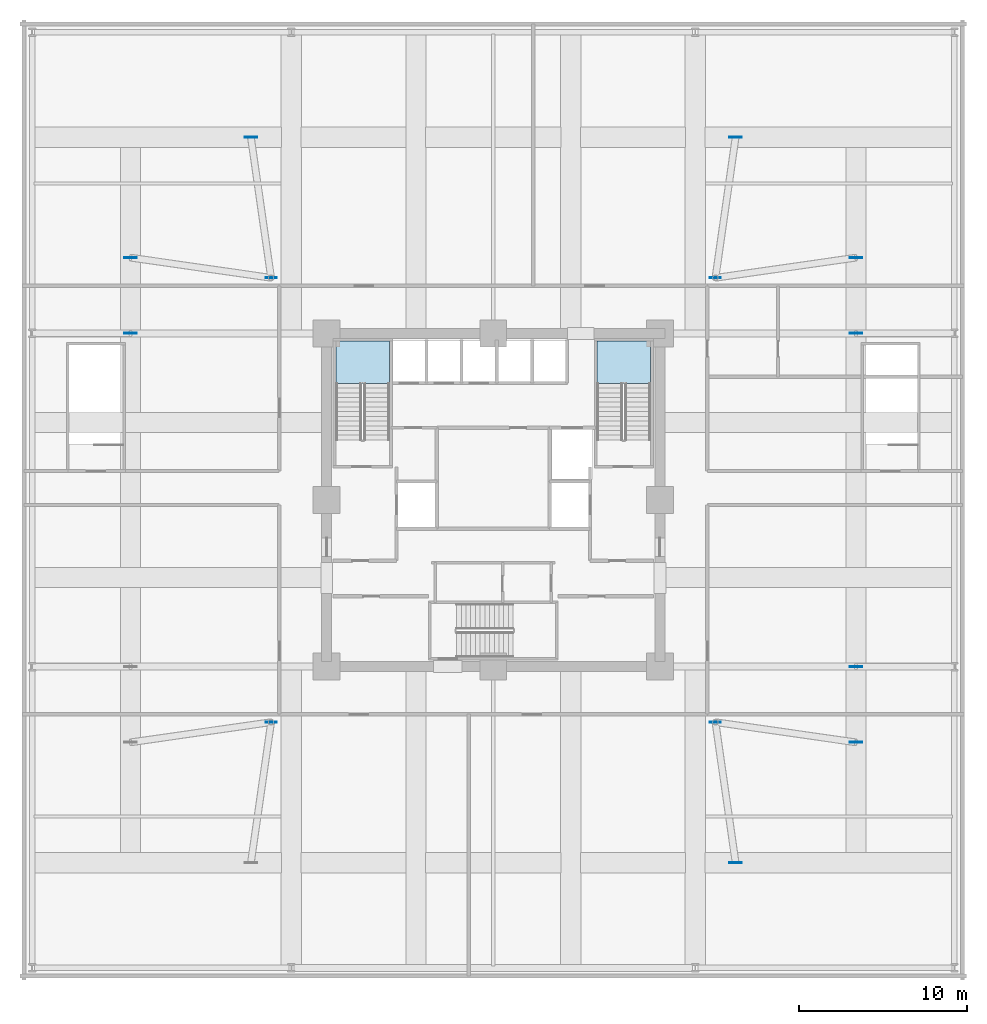
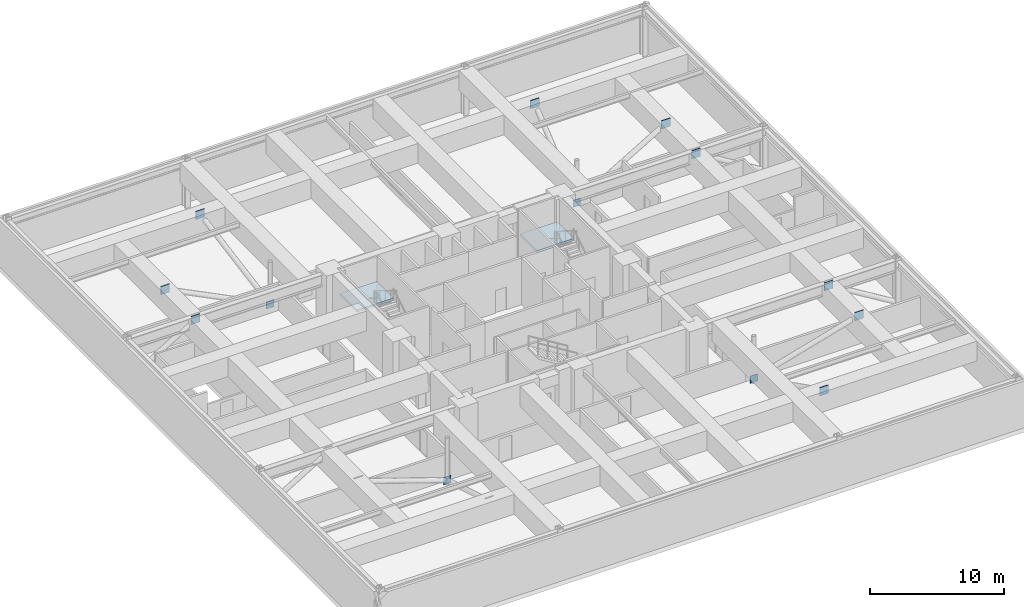
# One storey, part 11 of 16: 13 plates, 2 slabs, 2 elements without a shape of their own.
"""IFC4 building model written with IfcOpenShell, lengths in metres."""

from ifc_helpers import new_model, si_unit, direction, frame, origin, origin_2d, place, context, subcontext, project, spatial, polyline, rectangle, outline, extrude, material, layer, layer_set, type_object, element, aggregate, save


model = new_model("IFC4")

# Units and contexts
model_context = context("Model", 3, precision=1e-05, world=origin(), true_north=direction((0.0, 1.0)))
body_context = subcontext(model_context, "Body", "Model", "MODEL_VIEW")
ifc_project = project(units=[si_unit("LENGTHUNIT", "METRE"), si_unit("AREAUNIT", "SQUARE_METRE"), si_unit("VOLUMEUNIT", "CUBIC_METRE"), si_unit("PLANEANGLEUNIT", "RADIAN"), si_unit("MASSUNIT", "GRAM", prefix="KILO")], contexts=[model_context])

# Site, building, storey
site_placement = place(None, origin())
site = spatial("IfcSite", under=ifc_project, at=site_placement, CompositionType="ELEMENT")
building_placement = place(site_placement, origin())
building = spatial("IfcBuilding", under=site, at=building_placement, Name="Kolvaren Belvedere", CompositionType="ELEMENT")
storey_placement = place(building_placement, frame((0.0, 0.0, 19.300048828125)))
storey = spatial("IfcBuildingStorey", under=building, at=storey_placement, Name="L05", CompositionType="ELEMENT", Elevation=19.300048828125)

# Plates
ifc_material_1 = material(Name="Structural steel ASTM A572 Grade 50", Category="steel")
ifc_layer_1 = layer(ifc_material_1, 0.050048828125)
ifc_layer_set_1 = layer_set([ifc_layer_1], Name="Structural steel ASTM A572 Grade 50")
plate_type = type_object("IfcPlateType", Name="PL-GUSSET-50", PredefinedType="USERDEFINED", material=ifc_layer_set_1)
for number, where, z_axis, x_axis, name in (
    (1, (-13.199951171875, -13.199951171875, 0.02490234375), (0.0, 0.0, 1.0), (1.0, 0.0, 0.0), "L05 Transfer Portal Post Base Gusset TPN-1"),
    (2, (13.199951171875, -13.199951171875, 0.02490234375), (0.0, 0.0, 1.0), (1.0, 0.0, 0.0), "L05 Transfer Portal Post Base Gusset TPN-2"),
    (3, (-13.199951171875, 13.199951171875, 0.02490234375), (0.0, 0.0, 1.0), (1.0, 0.0, 0.0), "L05 Transfer Portal Post Base Gusset TPN-3"),
    (4, (13.199951171875, 13.199951171875, 0.02490234375), (0.0, 0.0, 1.0), (1.0, 0.0, 0.0), "L05 Transfer Portal Post Base Gusset TPN-4"),
):
    element("IfcPlate", number, at=place(storey_placement, frame(where, z_axis=z_axis, x_axis=x_axis)), inside=storey, type_object=plate_type, Name=name, ObjectType="GUSSET PLATE", PredefinedType="USERDEFINED", context=body_context, shape_type="SweptSolid", body=[
        extrude(rectangle(XDim=0.64990234375, YDim=0.050048828125, at=origin_2d()), origin(), (0.0, 0.0, 1.0), 0.64990234375),
    ])
for number, where, z_axis, x_axis, name in (
    (5, (21.550048828125, -14.39990234375, 3.534912109375), (0.0, 0.0, 1.0), (1.0, 0.0, 0.0), "L05 Transfer Truss Gusset Plate TN-2"),
    (6, (-21.550048828125, 14.39990234375, 3.534912109375), (0.0, 0.0, 1.0), (1.0, 0.0, 0.0), "L05 Transfer Truss Gusset Plate TN-3"),
    (7, (21.550048828125, 14.39990234375, 3.534912109375), (0.0, 0.0, 1.0), (1.0, 0.0, 0.0), "L05 Transfer Truss Gusset Plate TN-4"),
    (8, (14.39990234375, -21.550048828125, 3.534912109375), (0.0, 0.0, 1.0), (1.0, 0.0, 0.0), "L05 Transfer Truss Gusset Plate TN-6"),
    (9, (-14.39990234375, 21.550048828125, 3.534912109375), (0.0, 0.0, 1.0), (1.0, 0.0, 0.0), "L05 Transfer Truss Gusset Plate TN-7"),
    (10, (14.39990234375, 21.550048828125, 3.534912109375), (0.0, 0.0, 1.0), (1.0, 0.0, 0.0), "L05 Transfer Truss Gusset Plate TN-8"),
    (11, (21.550048828125, -9.89990234375, 3.534912109375), (0.0, 0.0, 1.0), (1.0, 0.0, 0.0), "L05 Transfer Truss Gusset Plate TN-10"),
    (12, (-21.550048828125, 9.89990234375, 3.534912109375), (0.0, 0.0, 1.0), (1.0, 0.0, 0.0), "L05 Transfer Truss Gusset Plate TN-11"),
    (13, (21.550048828125, 9.89990234375, 3.534912109375), (0.0, 0.0, 1.0), (1.0, 0.0, 0.0), "L05 Transfer Truss Gusset Plate TN-12"),
):
    element("IfcPlate", number, at=place(storey_placement, frame(where, z_axis=z_axis, x_axis=x_axis)), inside=storey, type_object=plate_type, Name=name, ObjectType="GUSSET PLATE", PredefinedType="USERDEFINED", context=body_context, shape_type="SweptSolid", body=[
        extrude(rectangle(XDim=0.75, YDim=0.050048828125, at=origin_2d()), origin(), (0.0, 0.0, 1.0), 0.75),
    ])

# Stair, slab
ifc_material_2 = material(Name="Concrete C50/60", Category="concrete")
stair_type = type_object("IfcStairType", Name="ST-CORE-1520", PredefinedType="HALF_TURN_STAIR", material=ifc_material_2)
stair_1_placement = place(storey_placement, origin())
stair_1 = element("IfcStair", 14, at=stair_1_placement, inside=storey, type_object=stair_type, Name="L05 Protected Exit Stair ST-1", PredefinedType="HALF_TURN_STAIR")
ifc_material_3 = material(Name="Concrete C50/60", Category="concrete")
ifc_layer_2 = layer(ifc_material_3, 0.260009765625)
ifc_layer_set_2 = layer_set([ifc_layer_2], Name="Concrete C50/60")
slab_type = type_object("IfcSlabType", Name="SL-LAND-260", PredefinedType="LANDING", material=ifc_layer_set_2)
slab_1_placement = place(storey_placement, frame((0.0, 0.0, 2.050048828125)))
slab_1 = element("IfcSlab", 15, at=slab_1_placement, type_object=slab_type, Name="ST-1 landing 1", PredefinedType="LANDING", context=body_context, shape_type="SweptSolid", body=[
    extrude(outline(polyline([(-6.159912109375, 6.929931640625), (-6.159912109375, 9.449951171875), (-9.35009765625, 9.449951171875), (-9.35009765625, 6.929931640625), (-6.159912109375, 6.929931640625)])), origin(), (0.0, 0.0, 1.0), 0.199951171875),
])
aggregate(stair_1, [slab_1])

stair_2_placement = place(storey_placement, origin())
stair_2 = element("IfcStair", 16, at=stair_2_placement, inside=storey, type_object=stair_type, Name="L05 Protected Exit Stair ST-2", PredefinedType="HALF_TURN_STAIR")
slab_2_placement = place(storey_placement, frame((0.0, 0.0, 2.050048828125)))
slab_2 = element("IfcSlab", 17, at=slab_2_placement, type_object=slab_type, Name="ST-2 landing 1", PredefinedType="LANDING", context=body_context, shape_type="SweptSolid", body=[
    extrude(outline(polyline([(9.35009765625, 6.929931640625), (9.35009765625, 9.449951171875), (6.159912109375, 9.449951171875), (6.159912109375, 6.929931640625), (9.35009765625, 6.929931640625)])), origin(), (0.0, 0.0, 1.0), 0.199951171875),
])
aggregate(stair_2, [slab_2])

save(model, "model.ifc")
